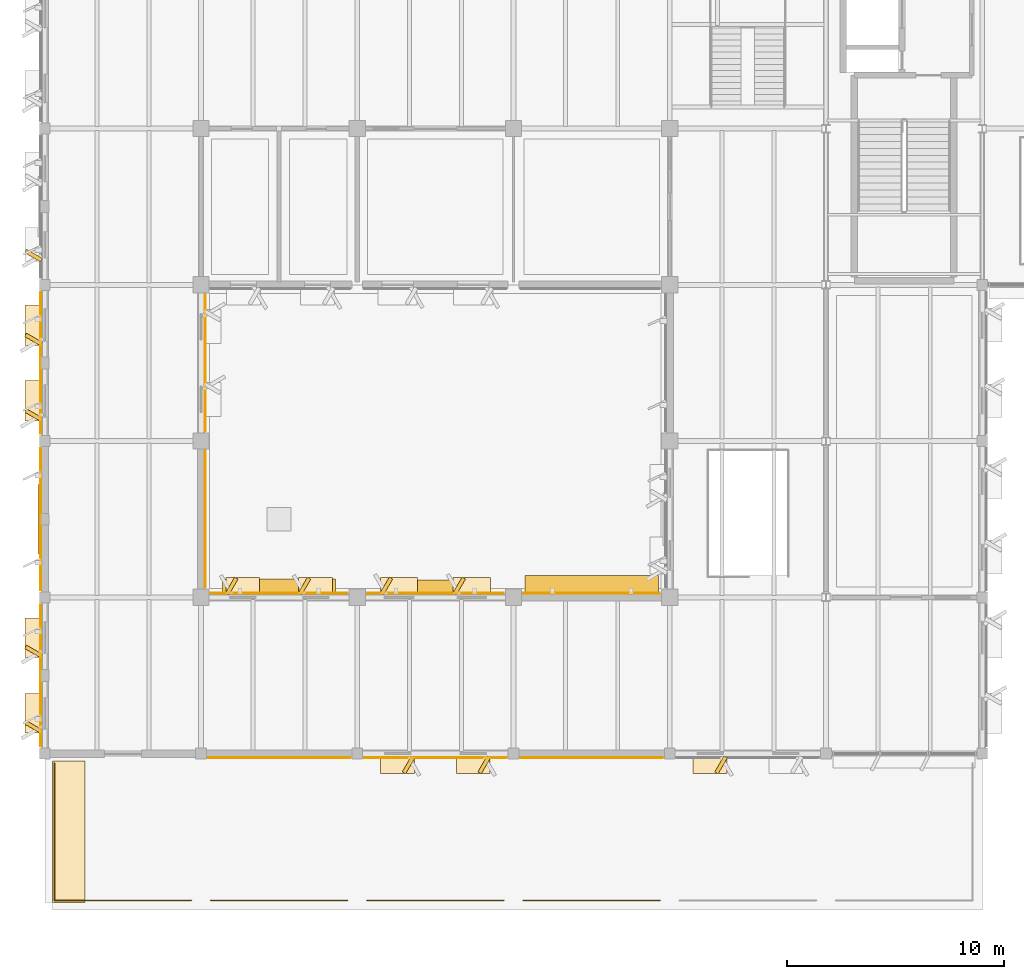
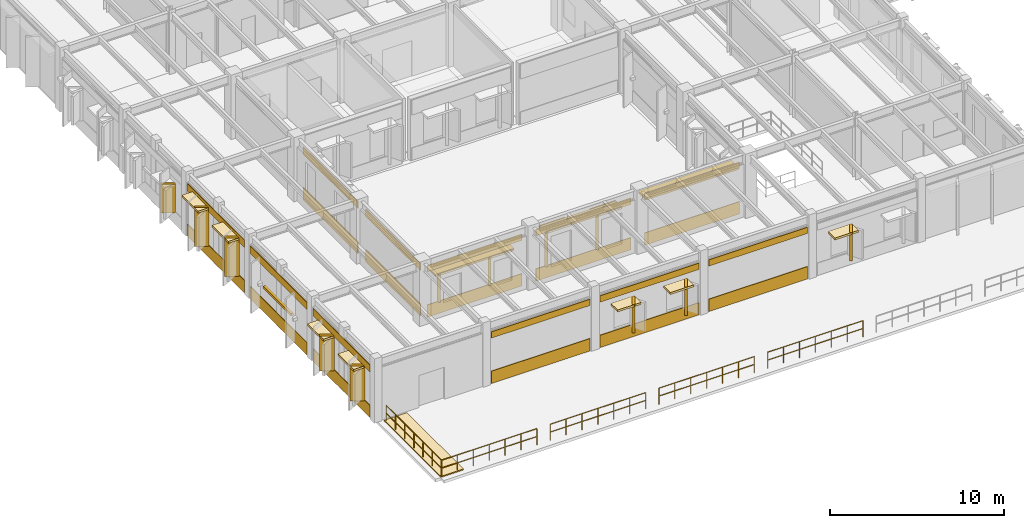
# One storey, part 75 of 92: 46 coverings, 5 railings, 4 shading devices.
"""IFC4 building model written with IfcOpenShell, lengths in metres."""

import ifcopenshell
import ifcopenshell.guid

model = None  # the IFC model being written
_history = None  # IfcOwnerHistory: only IFC2X3 demands one
_inside = {}  # id of a spatial element -> (the spatial element, [elements in it])
_under = {}  # id of a project, library or spatial element -> (it, [spatial elements below it])
_declared = {}  # id of a project -> (the project, [libraries it declares])
_typed = {}  # id of a type object -> (the type object, [elements of that type])
_made_of = {}  # id of a material, layer set ... -> (it, [elements and type objects made of it])


def new_model(schema):
    """Start an empty IFC model of exactly this schema.

    Asked for "IFC4X3", IfcOpenShell would pick the latest addendum, in which some entities
    have other attributes; the version numbers below select the first issue.
    IFC2X3 requires an IfcOwnerHistory on every rooted entity: one is made here for all.
    """
    global model, _history
    if schema == "IFC4X3":
        model = ifcopenshell.file(schema_version=(4, 3, 0, 0))
    else:
        model = ifcopenshell.file(schema=schema)
    _inside.clear()
    _under.clear()
    _declared.clear()
    _typed.clear()
    _made_of.clear()
    _history = None
    if model.schema == "IFC2X3":
        org = make("IfcOrganization", Name="unknown")
        user = make(
            "IfcPersonAndOrganization",
            ThePerson=make("IfcPerson", FamilyName="unknown"),
            TheOrganization=org,
        )
        app = make(
            "IfcApplication",
            ApplicationDeveloper=org,
            Version="unknown",
            ApplicationFullName="unknown",
            ApplicationIdentifier="unknown",
        )
        _history = make(
            "IfcOwnerHistory",
            OwningUser=user,
            OwningApplication=app,
            ChangeAction="ADDED",
            CreationDate=0,
        )
    return model


def make(cls, **values):
    """One entity of the class cls with the attributes given. An attribute that is None is left unset."""
    return model.create_entity(
        cls, **{name: value for name, value in values.items() if value is not None}
    )


def rooted(cls, **values):
    """An entity with a GlobalId (a new one), such as an element, a storey or a relation."""
    return make(cls, GlobalId=ifcopenshell.guid.new(), OwnerHistory=_history, **values)


def si_unit(unit_type, name, prefix=None):
    """IfcSIUnit, for example si_unit("LENGTHUNIT", "METRE", prefix="MILLI")."""
    return make("IfcSIUnit", UnitType=unit_type, Prefix=prefix, Name=name)


def assignment(units):
    """IfcUnitAssignment: the units of a project."""
    return None if units is None else make("IfcUnitAssignment", Units=units)


def point(xyz):
    """IfcCartesianPoint."""
    return None if xyz is None else make("IfcCartesianPoint", Coordinates=xyz)


def direction(xyz):
    """IfcDirection."""
    return None if xyz is None else make("IfcDirection", DirectionRatios=xyz)


def frame(location, z_axis=None, x_axis=None):
    """IfcAxis2Placement3D, a coordinate frame: its origin and axes. An axis left out is left unset."""
    return make(
        "IfcAxis2Placement3D",
        Location=point(location),
        Axis=direction(z_axis),
        RefDirection=direction(x_axis),
    )


def frame_2d(location, x_axis=None):
    """IfcAxis2Placement2D, a coordinate frame in the plane: its origin and x axis."""
    return make(
        "IfcAxis2Placement2D", Location=point(location), RefDirection=direction(x_axis)
    )


def origin():
    """The frame at (0, 0, 0) with its axes left unset."""
    return frame((0.0, 0.0, 0.0))


def origin_2d():
    """The frame at (0, 0) in the plane with its x axis left unset."""
    return frame_2d((0.0, 0.0))


def place(relative_to, where):
    """IfcLocalPlacement: puts the frame where relative to a parent placement (None: the world)."""
    return make(
        "IfcLocalPlacement", PlacementRelTo=relative_to, RelativePlacement=where
    )


def context(
    kind, dimensions, precision=None, world=None, true_north=None, identifier=None
):
    """IfcGeometricRepresentationContext, for example the 3D "Model" context."""
    return make(
        "IfcGeometricRepresentationContext",
        ContextIdentifier=identifier,
        ContextType=kind,
        CoordinateSpaceDimension=dimensions,
        Precision=precision,
        WorldCoordinateSystem=world,
        TrueNorth=true_north,
    )


def subcontext(parent, identifier, kind, view, scale=None):
    """IfcGeometricRepresentationSubContext, for example "Body" below "Model"."""
    return make(
        "IfcGeometricRepresentationSubContext",
        ContextIdentifier=identifier,
        ContextType=kind,
        ParentContext=parent,
        TargetScale=scale,
        TargetView=view,
    )


def project(units=None, contexts=None):
    """IfcProject with its units and contexts."""
    return rooted(
        "IfcProject",
        Name="project",
        RepresentationContexts=contexts,
        UnitsInContext=assignment(units),
    )


def spatial(cls, under=None, at=None, **own):
    """A site, building, storey or space (cls), placed at a placement, below another one or the project."""
    s = rooted(cls, ObjectPlacement=at, **own)
    if under is not None:
        _under.setdefault(under.id(), (under, []))[1].append(s)
    return s


def polyline(points):
    """IfcPolyline through the points."""
    return make("IfcPolyline", Points=[point(p) for p in points])


def profile(cls, at=None, kind="AREA", **sizes):
    """A parametric profile (cls). Its sizes go by their IFC names, for example OverallWidth=200.0."""
    return make(cls, ProfileType=kind, Position=at, **sizes)


def rectangle(**sizes):
    """IfcRectangleProfileDef."""
    return profile("IfcRectangleProfileDef", **sizes)


def circle(**sizes):
    """IfcCircleProfileDef."""
    return profile("IfcCircleProfileDef", **sizes)


def outline(outer, holes=None, kind="AREA"):
    """IfcArbitraryClosedProfileDef: a profile drawn as a closed curve; with holes, ...WithVoids."""
    if holes is None:
        return make("IfcArbitraryClosedProfileDef", ProfileType=kind, OuterCurve=outer)
    return make(
        "IfcArbitraryProfileDefWithVoids",
        ProfileType=kind,
        OuterCurve=outer,
        InnerCurves=holes,
    )


def extrude(swept, where, along, depth):
    """IfcExtrudedAreaSolid: the profile swept, set in the frame where, extruded along a direction by depth."""
    return make(
        "IfcExtrudedAreaSolid",
        SweptArea=swept,
        Position=where,
        ExtrudedDirection=direction(along),
        Depth=depth,
    )


def shape(context_of_items, identifier, shape_type, items):
    """IfcShapeRepresentation: the items that make up one representation, for example the "Body"."""
    return make(
        "IfcShapeRepresentation",
        ContextOfItems=context_of_items,
        RepresentationIdentifier=identifier,
        RepresentationType=shape_type,
        Items=items,
    )


def material(Name=None, Category=None):
    """IfcMaterial."""
    return make("IfcMaterial", Name=Name, Category=Category)


def layer(
    of_material, thickness, ventilated=None, Name=None, Category=None, Priority=None
):
    """IfcMaterialLayer: one layer of a wall or slab, of a material (None: an air gap)."""
    return make(
        "IfcMaterialLayer",
        Material=of_material,
        LayerThickness=thickness,
        IsVentilated=ventilated,
        Name=Name,
        Category=Category,
        Priority=Priority,
    )


def layer_set(layers, Name=None):
    """IfcMaterialLayerSet."""
    return make("IfcMaterialLayerSet", MaterialLayers=layers, LayerSetName=Name)


def made_of(thing, what):
    """Note that an element or type object is made of a material, layer set ...; save() writes the relation."""
    if what is not None:
        _made_of.setdefault(what.id(), (what, []))[1].append(thing)
    return thing


def type_object(cls, material=None, **own):
    """A type object (cls), such as IfcWallType, which elements share."""
    return made_of(rooted(cls, **own), material)


def element(
    cls,
    number,
    at=None,
    inside=None,
    cuts=None,
    type_object=None,
    material=None,
    context=None,
    identifier="Body",
    shape_type=None,
    held_by="IfcProductDefinitionShape",
    body=None,
    shapes=None,
    **own,
):
    """One element of the class cls, such as IfcWall. Its Tag is "e" and its number.

    at: its placement. inside: the storey or other place that contains it. cuts: it is an
    opening in that element (IfcRelVoidsElement). A single representation is given by context,
    identifier, shape_type and body (its items); several are given by shapes. held_by: the class
    of the entity that holds the representations. save() writes the other relations.
    """
    e = rooted(cls, Tag="e%d" % number, ObjectPlacement=at, **own)
    if body is not None:
        shapes = [shape(context, identifier, shape_type, body)]
    if shapes is not None:
        e.Representation = make(held_by, Representations=shapes)
    if inside is not None:
        _inside.setdefault(inside.id(), (inside, []))[1].append(e)
    if cuts is not None:
        rooted(
            "IfcRelVoidsElement", RelatingBuildingElement=cuts, RelatedOpeningElement=e
        )
    if type_object is not None:
        _typed.setdefault(type_object.id(), (type_object, []))[1].append(e)
    return made_of(e, material)


def aggregate(whole, parts):
    """IfcRelAggregates: a whole, such as a stair, and the parts it consists of."""
    return rooted("IfcRelAggregates", RelatingObject=whole, RelatedObjects=parts)


def save(model, path):
    """Write the relations noted so far, then the file.

    IfcRelAggregates (storeys below a building ...), IfcRelContainedInSpatialStructure (elements
    in a storey), IfcRelDefinesByType, IfcRelAssociatesMaterial and IfcRelDeclares: one each for
    every whole, place, type object, material and project.
    """
    for whole, parts in _under.values():
        aggregate(whole, parts)
    for where, things in _inside.values():
        rooted(
            "IfcRelContainedInSpatialStructure",
            RelatedElements=things,
            RelatingStructure=where,
        )
    for kind, things in _typed.values():
        rooted("IfcRelDefinesByType", RelatedObjects=things, RelatingType=kind)
    for what, things in _made_of.values():
        rooted("IfcRelAssociatesMaterial", RelatedObjects=things, RelatingMaterial=what)
    for by, libraries in _declared.values():
        rooted("IfcRelDeclares", RelatingContext=by, RelatedDefinitions=libraries)
    model.write(path)


model = new_model("IFC4")

# Units and contexts
model_context = context("Model", 3, precision=1e-05, world=origin(), true_north=direction((0.0, 1.0)))
body_context = subcontext(model_context, "Body", "Model", "MODEL_VIEW")
ifc_project = project(units=[si_unit("LENGTHUNIT", "METRE"), si_unit("AREAUNIT", "SQUARE_METRE"), si_unit("VOLUMEUNIT", "CUBIC_METRE"), si_unit("PLANEANGLEUNIT", "RADIAN"), si_unit("MASSUNIT", "GRAM", prefix="KILO")], contexts=[model_context])

# Site, building, storey
site_placement = place(None, origin())
site = spatial("IfcSite", under=ifc_project, at=site_placement, CompositionType="ELEMENT")
building_placement = place(site_placement, origin())
building = spatial("IfcBuilding", under=site, at=building_placement, Name="Sillqori Civic Hall", CompositionType="ELEMENT")
storey_placement = place(building_placement, frame((0.0, 0.0, 5.39990234375)))
storey = spatial("IfcBuildingStorey", under=building, at=storey_placement, Name="L02", CompositionType="ELEMENT", Elevation=5.39990234375)

# Coverings
ifc_material_1 = material(Name="Cochabamba Honed Limestone Cladding", Category="masonry")
ifc_layer_1 = layer(ifc_material_1, 0.044921875)
ifc_layer_set_1 = layer_set([ifc_layer_1], Name="Cochabamba Honed Limestone Cladding")
covering_type_1 = type_object("IfcCoveringType", Name="COV-CLAD-LIME", PredefinedType="CLADDING", material=ifc_layer_set_1)
covering_1_placement = place(storey_placement, frame((7.010009765625, 14.72998046875, 0.0400390625), z_axis=(0.0, 0.0, 1.0), x_axis=(0.0, 1.0, 0.0)))
element("IfcCovering", 1, at=covering_1_placement, inside=storey, type_object=covering_type_1, Name="L02 limestone spandrel cladding L02-01-02-W", PredefinedType="CLADDING", context=body_context, shape_type="SweptSolid", body=[
    extrude(rectangle(XDim=6.5400390625, YDim=0.044921875, at=frame_2d((3.27001953125, 0.0))), origin(), (0.0, 0.0, 1.0), 0.860107421875),
])
covering_2_placement = place(storey_placement, frame((7.010009765625, 14.72998046875, 3.22021484375), z_axis=(0.0, 0.0, 1.0), x_axis=(0.0, 1.0, 0.0)))
element("IfcCovering", 2, at=covering_2_placement, inside=storey, type_object=covering_type_1, Name="L02 limestone frieze cladding L02-01-02-W", PredefinedType="CLADDING", context=body_context, shape_type="SweptSolid", body=[
    extrude(rectangle(XDim=6.5400390625, YDim=0.044921875, at=frame_2d((3.27001953125, 0.0))), origin(), (0.0, 0.0, 1.0), 0.5068359375),
])
covering_3_placement = place(storey_placement, frame((7.050048828125, 15.4130859375, 0.830078125), z_axis=(0.0, 0.0, 1.0), x_axis=(-0.866113839764, 0.499846793097, 0.0)))
element("IfcCovering", 3, at=covering_3_placement, inside=storey, type_object=covering_type_1, Name="Sawtooth limestone angled reveal cheek L02-01-02-W.1", PredefinedType="CLADDING", context=body_context, shape_type="SweptSolid", body=[
    extrude(rectangle(XDim=0.849853515625, YDim=0.179931640625, at=frame_2d((0.4248046875, 0.0))), origin(), (0.0, 0.0, 1.0), 2.449951171875),
])
covering_4_placement = place(storey_placement, frame((6.669921875, 15.35302734375, 3.14013671875), z_axis=(0.0, 0.0, 1.0), x_axis=(0.0, 1.0, 0.0)))
element("IfcCovering", 4, at=covering_4_placement, inside=storey, type_object=covering_type_1, Name="Sawtooth limestone window hood L02-01-02-W.1", PredefinedType="CLADDING", context=body_context, shape_type="SweptSolid", body=[
    extrude(rectangle(XDim=1.81005859375, YDim=0.780029296875, at=frame_2d((0.905029296875, 0.0))), origin(), (0.0, 0.0, 1.0), 0.139892578125),
])
covering_5_placement = place(storey_placement, frame((7.050048828125, 18.89697265625, 0.830078125), z_axis=(0.0, 0.0, 1.0), x_axis=(-0.865989465428, 0.500062241894, 0.0)))
element("IfcCovering", 5, at=covering_5_placement, inside=storey, type_object=covering_type_1, Name="Sawtooth limestone angled reveal cheek L02-01-02-W.2", PredefinedType="CLADDING", context=body_context, shape_type="SweptSolid", body=[
    extrude(rectangle(XDim=0.85009765625, YDim=0.179931640625, at=frame_2d((0.425048828125, 0.0))), origin(), (0.0, 0.0, 1.0), 2.449951171875),
])
covering_6_placement = place(storey_placement, frame((6.669921875, 18.8369140625, 3.14013671875), z_axis=(0.0, 0.0, 1.0), x_axis=(0.0, 1.0, 0.0)))
element("IfcCovering", 6, at=covering_6_placement, inside=storey, type_object=covering_type_1, Name="Sawtooth limestone window hood L02-01-02-W.2", PredefinedType="CLADDING", context=body_context, shape_type="SweptSolid", body=[
    extrude(rectangle(XDim=1.81005859375, YDim=0.780029296875, at=frame_2d((0.905029296875, 0.0))), origin(), (0.0, 0.0, 1.0), 0.139892578125),
])
covering_7_placement = place(storey_placement, frame((7.010009765625, 21.929931640625, 0.0400390625), z_axis=(0.0, 0.0, 1.0), x_axis=(0.0, 1.0, 0.0)))
element("IfcCovering", 7, at=covering_7_placement, inside=storey, type_object=covering_type_1, Name="L02 limestone spandrel cladding L02-01-03-W", PredefinedType="CLADDING", context=body_context, shape_type="SweptSolid", body=[
    extrude(rectangle(XDim=6.5400390625, YDim=0.044921875, at=frame_2d((3.27001953125, 0.0))), origin(), (0.0, 0.0, 1.0), 0.860107421875),
])
covering_8_placement = place(storey_placement, frame((7.010009765625, 21.929931640625, 3.22021484375), z_axis=(0.0, 0.0, 1.0), x_axis=(0.0, 1.0, 0.0)))
element("IfcCovering", 8, at=covering_8_placement, inside=storey, type_object=covering_type_1, Name="L02 limestone frieze cladding L02-01-03-W", PredefinedType="CLADDING", context=body_context, shape_type="SweptSolid", body=[
    extrude(rectangle(XDim=6.5400390625, YDim=0.044921875, at=frame_2d((3.27001953125, 0.0))), origin(), (0.0, 0.0, 1.0), 0.5068359375),
])
covering_9_placement = place(storey_placement, frame((14.590087890625, 28.344970703125, 0.0400390625), z_axis=(0.0, 0.0, 1.0), x_axis=(0.0, -1.0, 0.0)))
element("IfcCovering", 9, at=covering_9_placement, inside=storey, type_object=covering_type_1, Name="L02 limestone spandrel cladding L02-01-03-E", PredefinedType="CLADDING", context=body_context, shape_type="SweptSolid", body=[
    extrude(rectangle(XDim=6.2900390625, YDim=0.044921875, at=frame_2d((3.14501953125, 0.0))), origin(), (0.0, 0.0, 1.0), 0.860107421875),
])
covering_10_placement = place(storey_placement, frame((14.590087890625, 28.344970703125, 3.22021484375), z_axis=(0.0, 0.0, 1.0), x_axis=(0.0, -1.0, 0.0)))
element("IfcCovering", 10, at=covering_10_placement, inside=storey, type_object=covering_type_1, Name="L02 limestone frieze cladding L02-01-03-E", PredefinedType="CLADDING", context=body_context, shape_type="SweptSolid", body=[
    extrude(rectangle(XDim=6.2900390625, YDim=0.044921875, at=frame_2d((3.14501953125, 0.0))), origin(), (0.0, 0.0, 1.0), 0.5068359375),
])
covering_11_placement = place(storey_placement, frame((7.010009765625, 29.1298828125, 0.0400390625), z_axis=(0.0, 0.0, 1.0), x_axis=(0.0, 1.0, 0.0)))
element("IfcCovering", 11, at=covering_11_placement, inside=storey, type_object=covering_type_1, Name="L02 limestone spandrel cladding L02-01-04-W", PredefinedType="CLADDING", context=body_context, shape_type="SweptSolid", body=[
    extrude(rectangle(XDim=6.5400390625, YDim=0.044921875, at=frame_2d((3.27001953125, 0.0))), origin(), (0.0, 0.0, 1.0), 0.860107421875),
])
covering_12_placement = place(storey_placement, frame((7.010009765625, 29.1298828125, 3.22021484375), z_axis=(0.0, 0.0, 1.0), x_axis=(0.0, 1.0, 0.0)))
element("IfcCovering", 12, at=covering_12_placement, inside=storey, type_object=covering_type_1, Name="L02 limestone frieze cladding L02-01-04-W", PredefinedType="CLADDING", context=body_context, shape_type="SweptSolid", body=[
    extrude(rectangle(XDim=6.5400390625, YDim=0.044921875, at=frame_2d((3.27001953125, 0.0))), origin(), (0.0, 0.0, 1.0), 0.5068359375),
])
covering_13_placement = place(storey_placement, frame((7.050048828125, 29.7880859375, 0.830078125), z_axis=(0.0, 0.0, 1.0), x_axis=(-0.866113839764, 0.499846793097, 0.0)))
element("IfcCovering", 13, at=covering_13_placement, inside=storey, type_object=covering_type_1, Name="Sawtooth limestone angled reveal cheek L02-01-04-W.1", PredefinedType="CLADDING", context=body_context, shape_type="SweptSolid", body=[
    extrude(rectangle(XDim=0.849853515625, YDim=0.179931640625, at=frame_2d((0.4248046875, 0.0))), origin(), (0.0, 0.0, 1.0), 2.699951171875),
])
covering_14_placement = place(storey_placement, frame((6.669921875, 29.72802734375, 3.39013671875), z_axis=(0.0, 0.0, 1.0), x_axis=(0.0, 1.0, 0.0)))
element("IfcCovering", 14, at=covering_14_placement, inside=storey, type_object=covering_type_1, Name="Sawtooth limestone window hood L02-01-04-W.1", PredefinedType="CLADDING", context=body_context, shape_type="SweptSolid", body=[
    extrude(rectangle(XDim=1.85986328125, YDim=0.780029296875, at=frame_2d((0.929931640625, 0.0))), origin(), (0.0, 0.0, 1.0), 0.139892578125),
])
covering_15_placement = place(storey_placement, frame((7.050048828125, 33.27197265625, 0.830078125), z_axis=(0.0, 0.0, 1.0), x_axis=(-0.865989465428, 0.500062241894, 0.0)))
element("IfcCovering", 15, at=covering_15_placement, inside=storey, type_object=covering_type_1, Name="Sawtooth limestone angled reveal cheek L02-01-04-W.2", PredefinedType="CLADDING", context=body_context, shape_type="SweptSolid", body=[
    extrude(rectangle(XDim=0.85009765625, YDim=0.179931640625, at=frame_2d((0.425048828125, 0.0))), origin(), (0.0, 0.0, 1.0), 2.699951171875),
])
covering_16_placement = place(storey_placement, frame((6.669921875, 33.2119140625, 3.39013671875), z_axis=(0.0, 0.0, 1.0), x_axis=(0.0, 1.0, 0.0)))
element("IfcCovering", 16, at=covering_16_placement, inside=storey, type_object=covering_type_1, Name="Sawtooth limestone window hood L02-01-04-W.2", PredefinedType="CLADDING", context=body_context, shape_type="SweptSolid", body=[
    extrude(rectangle(XDim=1.860107421875, YDim=0.780029296875, at=frame_2d((0.93017578125, 0.0))), origin(), (0.0, 0.0, 1.0), 0.139892578125),
])
covering_17_placement = place(storey_placement, frame((14.590087890625, 35.544921875, 0.0400390625), z_axis=(0.0, 0.0, 1.0), x_axis=(0.0, -1.0, 0.0)))
element("IfcCovering", 17, at=covering_17_placement, inside=storey, type_object=covering_type_1, Name="L02 limestone spandrel cladding L02-01-04-E", PredefinedType="CLADDING", context=body_context, shape_type="SweptSolid", body=[
    extrude(rectangle(XDim=6.2900390625, YDim=0.044921875, at=frame_2d((3.14501953125, 0.0))), origin(), (0.0, 0.0, 1.0), 0.860107421875),
])
covering_18_placement = place(storey_placement, frame((14.590087890625, 35.544921875, 3.22021484375), z_axis=(0.0, 0.0, 1.0), x_axis=(0.0, -1.0, 0.0)))
element("IfcCovering", 18, at=covering_18_placement, inside=storey, type_object=covering_type_1, Name="L02 limestone frieze cladding L02-01-04-E", PredefinedType="CLADDING", context=body_context, shape_type="SweptSolid", body=[
    extrude(rectangle(XDim=6.2900390625, YDim=0.044921875, at=frame_2d((3.14501953125, 0.0))), origin(), (0.0, 0.0, 1.0), 0.5068359375),
])
covering_19_placement = place(storey_placement, frame((7.050048828125, 37.137939453125, 0.830078125), z_axis=(0.0, 0.0, 1.0), x_axis=(-0.865989465428, 0.500062241894, 0.0)))
element("IfcCovering", 19, at=covering_19_placement, inside=storey, type_object=covering_type_1, Name="Sawtooth limestone angled reveal cheek L02-01-05-W.1", PredefinedType="CLADDING", context=body_context, shape_type="SweptSolid", body=[
    extrude(rectangle(XDim=0.85009765625, YDim=0.179931640625, at=frame_2d((0.425048828125, 0.0))), origin(), (0.0, 0.0, 1.0), 2.0),
])
covering_20_placement = place(storey_placement, frame((21.27001953125, 14.2099609375, 0.0400390625), z_axis=(0.0, 0.0, 1.0), x_axis=(-1.0, 0.0, 0.0)))
element("IfcCovering", 20, at=covering_20_placement, inside=storey, type_object=covering_type_1, Name="L02 limestone spandrel cladding L02-02-02-S", PredefinedType="CLADDING", context=body_context, shape_type="SweptSolid", body=[
    extrude(rectangle(XDim=6.5400390625, YDim=0.044921875, at=frame_2d((3.27001953125, 0.0))), origin(), (0.0, 0.0, 1.0), 0.860107421875),
])
covering_21_placement = place(storey_placement, frame((21.27001953125, 14.2099609375, 3.22021484375), z_axis=(0.0, 0.0, 1.0), x_axis=(-1.0, 0.0, 0.0)))
element("IfcCovering", 21, at=covering_21_placement, inside=storey, type_object=covering_type_1, Name="L02 limestone frieze cladding L02-02-02-S", PredefinedType="CLADDING", context=body_context, shape_type="SweptSolid", body=[
    extrude(rectangle(XDim=6.5400390625, YDim=0.044921875, at=frame_2d((3.27001953125, 0.0))), origin(), (0.0, 0.0, 1.0), 0.43798828125),
])
covering_22_placement = place(storey_placement, frame((14.85498046875, 21.7900390625, 0.0400390625), z_axis=(0.0, 0.0, 1.0), x_axis=(1.0, 0.0, 0.0)))
element("IfcCovering", 22, at=covering_22_placement, inside=storey, type_object=covering_type_1, Name="L02 limestone spandrel cladding L02-02-02-N", PredefinedType="CLADDING", context=body_context, shape_type="SweptSolid", body=[
    extrude(rectangle(XDim=6.2900390625, YDim=0.044921875, at=frame_2d((3.14501953125, 0.0))), origin(), (0.0, 0.0, 1.0), 0.860107421875),
])
covering_23_placement = place(storey_placement, frame((14.85498046875, 21.7900390625, 3.22021484375), z_axis=(0.0, 0.0, 1.0), x_axis=(1.0, 0.0, 0.0)))
element("IfcCovering", 23, at=covering_23_placement, inside=storey, type_object=covering_type_1, Name="L02 limestone frieze cladding L02-02-02-N", PredefinedType="CLADDING", context=body_context, shape_type="SweptSolid", body=[
    extrude(rectangle(XDim=6.2900390625, YDim=0.044921875, at=frame_2d((3.14501953125, 0.0))), origin(), (0.0, 0.0, 1.0), 0.43798828125),
])
covering_24_placement = place(storey_placement, frame((15.60302734375, 21.75, 0.830078125), z_axis=(0.0, 0.0, 1.0), x_axis=(0.500062241894, 0.865989465428, 0.0)))
element("IfcCovering", 24, at=covering_24_placement, inside=storey, type_object=covering_type_1, Name="Sawtooth limestone angled reveal cheek L02-02-02-N.1", PredefinedType="CLADDING", context=body_context, shape_type="SweptSolid", body=[
    extrude(rectangle(XDim=0.85009765625, YDim=0.179931640625, at=frame_2d((0.425048828125, 0.0))), origin(), (0.0, 0.0, 1.0), 2.0),
])
covering_25_placement = place(storey_placement, frame((15.54296875, 22.1298828125, 2.690185546875), z_axis=(0.0, 0.0, 1.0), x_axis=(1.0, 0.0, 0.0)))
element("IfcCovering", 25, at=covering_25_placement, inside=storey, type_object=covering_type_1, Name="Sawtooth limestone window hood L02-02-02-N.1", PredefinedType="CLADDING", context=body_context, shape_type="SweptSolid", body=[
    extrude(rectangle(XDim=1.56005859375, YDim=0.780029296875, at=frame_2d((0.780029296875, 0.0))), origin(), (0.0, 0.0, 1.0), 0.139892578125),
])
covering_26_placement = place(storey_placement, frame((18.95703125, 21.75, 0.830078125), z_axis=(0.0, 0.0, 1.0), x_axis=(0.500062241894, 0.865989465428, 0.0)))
element("IfcCovering", 26, at=covering_26_placement, inside=storey, type_object=covering_type_1, Name="Sawtooth limestone angled reveal cheek L02-02-02-N.2", PredefinedType="CLADDING", context=body_context, shape_type="SweptSolid", body=[
    extrude(rectangle(XDim=0.85009765625, YDim=0.179931640625, at=frame_2d((0.425048828125, 0.0))), origin(), (0.0, 0.0, 1.0), 2.0),
])
covering_27_placement = place(storey_placement, frame((18.89697265625, 22.1298828125, 2.690185546875), z_axis=(0.0, 0.0, 1.0), x_axis=(1.0, 0.0, 0.0)))
element("IfcCovering", 27, at=covering_27_placement, inside=storey, type_object=covering_type_1, Name="Sawtooth limestone window hood L02-02-02-N.2", PredefinedType="CLADDING", context=body_context, shape_type="SweptSolid", body=[
    extrude(rectangle(XDim=1.56005859375, YDim=0.780029296875, at=frame_2d((0.780029296875, 0.0))), origin(), (0.0, 0.0, 1.0), 0.139892578125),
])
covering_28_placement = place(storey_placement, frame((28.469970703125, 14.2099609375, 0.0400390625), z_axis=(0.0, 0.0, 1.0), x_axis=(-1.0, 0.0, 0.0)))
element("IfcCovering", 28, at=covering_28_placement, inside=storey, type_object=covering_type_1, Name="L02 limestone spandrel cladding L02-03-02-S", PredefinedType="CLADDING", context=body_context, shape_type="SweptSolid", body=[
    extrude(rectangle(XDim=6.5400390625, YDim=0.044921875, at=frame_2d((3.27001953125, 0.0))), origin(), (0.0, 0.0, 1.0), 0.860107421875),
])
covering_29_placement = place(storey_placement, frame((28.469970703125, 14.2099609375, 3.22021484375), z_axis=(0.0, 0.0, 1.0), x_axis=(-1.0, 0.0, 0.0)))
element("IfcCovering", 29, at=covering_29_placement, inside=storey, type_object=covering_type_1, Name="L02 limestone frieze cladding L02-03-02-S", PredefinedType="CLADDING", context=body_context, shape_type="SweptSolid", body=[
    extrude(rectangle(XDim=6.5400390625, YDim=0.044921875, at=frame_2d((3.27001953125, 0.0))), origin(), (0.0, 0.0, 1.0), 0.43798828125),
])
covering_30_placement = place(storey_placement, frame((27.662109375, 14.25, 0.830078125), z_axis=(0.0, 0.0, 1.0), x_axis=(-0.500062241894, -0.865989465428, 0.0)))
element("IfcCovering", 30, at=covering_30_placement, inside=storey, type_object=covering_type_1, Name="Sawtooth limestone angled reveal cheek L02-03-02-S.1", PredefinedType="CLADDING", context=body_context, shape_type="SweptSolid", body=[
    extrude(rectangle(XDim=0.85009765625, YDim=0.179931640625, at=frame_2d((0.425048828125, 0.0))), origin(), (0.0, 0.0, 1.0), 2.0),
])
covering_31_placement = place(storey_placement, frame((27.721923828125, 13.8701171875, 2.690185546875), z_axis=(0.0, 0.0, 1.0), x_axis=(-1.0, 0.0, 0.0)))
element("IfcCovering", 31, at=covering_31_placement, inside=storey, type_object=covering_type_1, Name="Sawtooth limestone window hood L02-03-02-S.1", PredefinedType="CLADDING", context=body_context, shape_type="SweptSolid", body=[
    extrude(rectangle(XDim=1.559814453125, YDim=0.780029296875, at=frame_2d((0.77978515625, 0.0))), origin(), (0.0, 0.0, 1.0), 0.139892578125),
])
covering_32_placement = place(storey_placement, frame((24.177978515625, 14.25, 0.830078125), z_axis=(0.0, 0.0, 1.0), x_axis=(-0.500062241894, -0.865989465428, 0.0)))
element("IfcCovering", 32, at=covering_32_placement, inside=storey, type_object=covering_type_1, Name="Sawtooth limestone angled reveal cheek L02-03-02-S.2", PredefinedType="CLADDING", context=body_context, shape_type="SweptSolid", body=[
    extrude(rectangle(XDim=0.85009765625, YDim=0.179931640625, at=frame_2d((0.425048828125, 0.0))), origin(), (0.0, 0.0, 1.0), 2.0),
])
covering_33_placement = place(storey_placement, frame((24.238037109375, 13.8701171875, 2.690185546875), z_axis=(0.0, 0.0, 1.0), x_axis=(-1.0, 0.0, 0.0)))
element("IfcCovering", 33, at=covering_33_placement, inside=storey, type_object=covering_type_1, Name="Sawtooth limestone window hood L02-03-02-S.2", PredefinedType="CLADDING", context=body_context, shape_type="SweptSolid", body=[
    extrude(rectangle(XDim=1.56005859375, YDim=0.780029296875, at=frame_2d((0.780029296875, 0.0))), origin(), (0.0, 0.0, 1.0), 0.139892578125),
])
covering_34_placement = place(storey_placement, frame((22.054931640625, 21.7900390625, 0.0400390625), z_axis=(0.0, 0.0, 1.0), x_axis=(1.0, 0.0, 0.0)))
element("IfcCovering", 34, at=covering_34_placement, inside=storey, type_object=covering_type_1, Name="L02 limestone spandrel cladding L02-03-02-N", PredefinedType="CLADDING", context=body_context, shape_type="SweptSolid", body=[
    extrude(rectangle(XDim=6.2900390625, YDim=0.044921875, at=frame_2d((3.14501953125, 0.0))), origin(), (0.0, 0.0, 1.0), 0.860107421875),
])
covering_35_placement = place(storey_placement, frame((22.054931640625, 21.7900390625, 3.22021484375), z_axis=(0.0, 0.0, 1.0), x_axis=(1.0, 0.0, 0.0)))
element("IfcCovering", 35, at=covering_35_placement, inside=storey, type_object=covering_type_1, Name="L02 limestone frieze cladding L02-03-02-N", PredefinedType="CLADDING", context=body_context, shape_type="SweptSolid", body=[
    extrude(rectangle(XDim=6.2900390625, YDim=0.044921875, at=frame_2d((3.14501953125, 0.0))), origin(), (0.0, 0.0, 1.0), 0.43798828125),
])
covering_36_placement = place(storey_placement, frame((22.72802734375, 21.75, 0.830078125), z_axis=(0.0, 0.0, 1.0), x_axis=(0.500062241894, 0.865989465428, 0.0)))
element("IfcCovering", 36, at=covering_36_placement, inside=storey, type_object=covering_type_1, Name="Sawtooth limestone angled reveal cheek L02-03-02-N.1", PredefinedType="CLADDING", context=body_context, shape_type="SweptSolid", body=[
    extrude(rectangle(XDim=0.85009765625, YDim=0.179931640625, at=frame_2d((0.425048828125, 0.0))), origin(), (0.0, 0.0, 1.0), 2.449951171875),
])
covering_37_placement = place(storey_placement, frame((22.66796875, 22.1298828125, 3.14013671875), z_axis=(0.0, 0.0, 1.0), x_axis=(1.0, 0.0, 0.0)))
element("IfcCovering", 37, at=covering_37_placement, inside=storey, type_object=covering_type_1, Name="Sawtooth limestone window hood L02-03-02-N.1", PredefinedType="CLADDING", context=body_context, shape_type="SweptSolid", body=[
    extrude(rectangle(XDim=1.7099609375, YDim=0.780029296875, at=frame_2d((0.85498046875, 0.0))), origin(), (0.0, 0.0, 1.0), 0.139892578125),
])
covering_38_placement = place(storey_placement, frame((26.08203125, 21.75, 0.830078125), z_axis=(0.0, 0.0, 1.0), x_axis=(0.500062241894, 0.865989465428, 0.0)))
element("IfcCovering", 38, at=covering_38_placement, inside=storey, type_object=covering_type_1, Name="Sawtooth limestone angled reveal cheek L02-03-02-N.2", PredefinedType="CLADDING", context=body_context, shape_type="SweptSolid", body=[
    extrude(rectangle(XDim=0.85009765625, YDim=0.179931640625, at=frame_2d((0.425048828125, 0.0))), origin(), (0.0, 0.0, 1.0), 2.449951171875),
])
covering_39_placement = place(storey_placement, frame((26.02197265625, 22.1298828125, 3.14013671875), z_axis=(0.0, 0.0, 1.0), x_axis=(1.0, 0.0, 0.0)))
element("IfcCovering", 39, at=covering_39_placement, inside=storey, type_object=covering_type_1, Name="Sawtooth limestone window hood L02-03-02-N.2", PredefinedType="CLADDING", context=body_context, shape_type="SweptSolid", body=[
    extrude(rectangle(XDim=1.7099609375, YDim=0.780029296875, at=frame_2d((0.85498046875, 0.0))), origin(), (0.0, 0.0, 1.0), 0.139892578125),
])
covering_40_placement = place(storey_placement, frame((35.669921875, 14.2099609375, 0.0400390625), z_axis=(0.0, 0.0, 1.0), x_axis=(-1.0, 0.0, 0.0)))
element("IfcCovering", 40, at=covering_40_placement, inside=storey, type_object=covering_type_1, Name="L02 limestone spandrel cladding L02-04-02-S", PredefinedType="CLADDING", context=body_context, shape_type="SweptSolid", body=[
    extrude(rectangle(XDim=6.5400390625, YDim=0.044921875, at=frame_2d((3.27001953125, 0.0))), origin(), (0.0, 0.0, 1.0), 0.860107421875),
])
covering_41_placement = place(storey_placement, frame((35.669921875, 14.2099609375, 3.22021484375), z_axis=(0.0, 0.0, 1.0), x_axis=(-1.0, 0.0, 0.0)))
element("IfcCovering", 41, at=covering_41_placement, inside=storey, type_object=covering_type_1, Name="L02 limestone frieze cladding L02-04-02-S", PredefinedType="CLADDING", context=body_context, shape_type="SweptSolid", body=[
    extrude(rectangle(XDim=6.5400390625, YDim=0.044921875, at=frame_2d((3.27001953125, 0.0))), origin(), (0.0, 0.0, 1.0), 0.43798828125),
])
covering_42_placement = place(storey_placement, frame((29.2548828125, 21.7900390625, 0.0400390625), z_axis=(0.0, 0.0, 1.0), x_axis=(1.0, 0.0, 0.0)))
element("IfcCovering", 42, at=covering_42_placement, inside=storey, type_object=covering_type_1, Name="L02 limestone spandrel cladding L02-04-02-N", PredefinedType="CLADDING", context=body_context, shape_type="SweptSolid", body=[
    extrude(rectangle(XDim=6.2900390625, YDim=0.044921875, at=frame_2d((3.14501953125, 0.0))), origin(), (0.0, 0.0, 1.0), 0.860107421875),
])
covering_43_placement = place(storey_placement, frame((29.2548828125, 21.7900390625, 3.22021484375), z_axis=(0.0, 0.0, 1.0), x_axis=(1.0, 0.0, 0.0)))
element("IfcCovering", 43, at=covering_43_placement, inside=storey, type_object=covering_type_1, Name="L02 limestone frieze cladding L02-04-02-N", PredefinedType="CLADDING", context=body_context, shape_type="SweptSolid", body=[
    extrude(rectangle(XDim=6.2900390625, YDim=0.044921875, at=frame_2d((3.14501953125, 0.0))), origin(), (0.0, 0.0, 1.0), 0.43798828125),
])
covering_44_placement = place(storey_placement, frame((38.577880859375, 14.25, 0.830078125), z_axis=(0.0, 0.0, 1.0), x_axis=(-0.499846793097, -0.866113839764, 0.0)))
element("IfcCovering", 44, at=covering_44_placement, inside=storey, type_object=covering_type_1, Name="Sawtooth limestone angled reveal cheek L02-05-02-S.2", PredefinedType="CLADDING", context=body_context, shape_type="SweptSolid", body=[
    extrude(rectangle(XDim=0.849853515625, YDim=0.179931640625, at=frame_2d((0.4248046875, 0.0))), origin(), (0.0, 0.0, 1.0), 2.0),
])
covering_45_placement = place(storey_placement, frame((38.637939453125, 13.8701171875, 2.690185546875), z_axis=(0.0, 0.0, 1.0), x_axis=(-1.0, 0.0, 0.0)))
element("IfcCovering", 45, at=covering_45_placement, inside=storey, type_object=covering_type_1, Name="Sawtooth limestone window hood L02-05-02-S.2", PredefinedType="CLADDING", context=body_context, shape_type="SweptSolid", body=[
    extrude(rectangle(XDim=1.56005859375, YDim=0.780029296875, at=frame_2d((0.780029296875, 0.0))), origin(), (0.0, 0.0, 1.0), 0.139892578125),
])
ifc_material_2 = material(Name="Extensive Andean Sedum Roof Substrate", Category="earth")
ifc_layer_2 = layer(ifc_material_2, 0.080078125)
ifc_layer_set_2 = layer_set([ifc_layer_2], Name="Extensive Andean Sedum Roof Substrate")
covering_type_2 = type_object("IfcCoveringType", Name="COV-ROOF-GRN", PredefinedType="ROOFING", material=ifc_layer_set_2)
covering_46_placement = place(storey_placement, origin())
element("IfcCovering", 46, at=covering_46_placement, inside=storey, type_object=covering_type_2, Name="South Chamber Step Terrace 1 planted planter bed", PredefinedType="ROOFING", context=body_context, shape_type="SweptSolid", body=[
    extrude(outline(polyline([(7.550048828125, 7.550048828125), (9.050048828125, 7.550048828125), (9.050048828125, 14.050048828125), (7.550048828125, 14.050048828125), (7.550048828125, 7.550048828125)])), origin(), (0.0, 0.0, 1.0), 0.080078125),
])

# Railings
ifc_material_3 = material(Name="Architectural Bronze and Tempered Glass Balustrade", Category="glass")
ifc_layer_3 = layer(ifc_material_3, 0.080078125)
ifc_layer_set_3 = layer_set([ifc_layer_3], Name="Architectural Bronze and Tempered Glass Balustrade")
railing_type = type_object("IfcRailingType", Name="RLG-BALU-115", PredefinedType="BALUSTRADE", material=ifc_layer_set_3)
railing_1_placement = place(storey_placement, frame((7.639892578125, 7.639892578125, 0.0)))
element("IfcRailing", 47, at=railing_1_placement, inside=storey, type_object=railing_type, Name="South Chamber Step Terrace 1 perimeter guard S-01", PredefinedType="BALUSTRADE", context=body_context, shape_type="SweptSolid", body=[
    extrude(circle(Radius=0.02392578125, at=origin_2d()), frame((0.0, 0.0, 1.1259765625), z_axis=(1.0, 0.0, 0.0), x_axis=(0.0, 1.0, 0.0)), (0.0, 0.0, 1.0), 6.320068359375),
    extrude(circle(Radius=0.02392578125, at=origin_2d()), frame((0.0, 0.0, 0.574951171875), z_axis=(1.0, 0.0, 0.0), x_axis=(0.0, 1.0, 0.0)), (0.0, 0.0, 1.0), 6.320068359375),
    extrude(circle(Radius=0.02099609375, at=origin_2d()), origin(), (0.0, 0.0, 1.0), 1.101806640625),
    extrude(circle(Radius=0.02099609375, at=origin_2d()), frame((1.05322265625, 0.0, 0.0)), (0.0, 0.0, 1.0), 1.101806640625),
    extrude(circle(Radius=0.02099609375, at=origin_2d()), frame((2.106689453125, 0.0, 0.0)), (0.0, 0.0, 1.0), 1.101806640625),
    extrude(circle(Radius=0.02099609375, at=origin_2d()), frame((3.16015625, 0.0, 0.0)), (0.0, 0.0, 1.0), 1.101806640625),
    extrude(circle(Radius=0.02099609375, at=origin_2d()), frame((4.21337890625, 0.0, 0.0)), (0.0, 0.0, 1.0), 1.101806640625),
    extrude(circle(Radius=0.02099609375, at=origin_2d()), frame((5.2666015625, 0.0, 0.0)), (0.0, 0.0, 1.0), 1.101806640625),
    extrude(circle(Radius=0.02099609375, at=origin_2d()), frame((6.320068359375, 0.0, 0.0)), (0.0, 0.0, 1.0), 1.101806640625),
])
railing_2_placement = place(storey_placement, frame((14.840087890625, 7.639892578125, 0.0)))
element("IfcRailing", 48, at=railing_2_placement, inside=storey, type_object=railing_type, Name="South Chamber Step Terrace 1 perimeter guard S-02", PredefinedType="BALUSTRADE", context=body_context, shape_type="SweptSolid", body=[
    extrude(circle(Radius=0.02392578125, at=origin_2d()), frame((0.0, 0.0, 1.1259765625), z_axis=(1.0, 0.0, 0.0), x_axis=(0.0, 1.0, 0.0)), (0.0, 0.0, 1.0), 6.31982421875),
    extrude(circle(Radius=0.02392578125, at=origin_2d()), frame((0.0, 0.0, 0.574951171875), z_axis=(1.0, 0.0, 0.0), x_axis=(0.0, 1.0, 0.0)), (0.0, 0.0, 1.0), 6.31982421875),
    extrude(circle(Radius=0.02099609375, at=origin_2d()), origin(), (0.0, 0.0, 1.0), 1.101806640625),
    extrude(circle(Radius=0.02099609375, at=origin_2d()), frame((1.05322265625, 0.0, 0.0)), (0.0, 0.0, 1.0), 1.101806640625),
    extrude(circle(Radius=0.02099609375, at=origin_2d()), frame((2.106689453125, 0.0, 0.0)), (0.0, 0.0, 1.0), 1.101806640625),
    extrude(circle(Radius=0.02099609375, at=origin_2d()), frame((3.159912109375, 0.0, 0.0)), (0.0, 0.0, 1.0), 1.101806640625),
    extrude(circle(Radius=0.02099609375, at=origin_2d()), frame((4.213134765625, 0.0, 0.0)), (0.0, 0.0, 1.0), 1.101806640625),
    extrude(circle(Radius=0.02099609375, at=origin_2d()), frame((5.2666015625, 0.0, 0.0)), (0.0, 0.0, 1.0), 1.101806640625),
    extrude(circle(Radius=0.02099609375, at=origin_2d()), frame((6.31982421875, 0.0, 0.0)), (0.0, 0.0, 1.0), 1.101806640625),
])
for number, where, name in (
    (49, (22.0400390625, 7.639892578125, 0.0), "South Chamber Step Terrace 1 perimeter guard S-03"),
    (50, (29.239990234375, 7.639892578125, 0.0), "South Chamber Step Terrace 1 perimeter guard S-04"),
):
    element("IfcRailing", number, at=place(storey_placement, frame(where)), inside=storey, type_object=railing_type, Name=name, PredefinedType="BALUSTRADE", context=body_context, shape_type="SweptSolid", body=[
        extrude(circle(Radius=0.02392578125, at=origin_2d()), frame((0.0, 0.0, 1.1259765625), z_axis=(1.0, 0.0, 0.0), x_axis=(0.0, 1.0, 0.0)), (0.0, 0.0, 1.0), 6.320068359375),
        extrude(circle(Radius=0.02392578125, at=origin_2d()), frame((0.0, 0.0, 0.574951171875), z_axis=(1.0, 0.0, 0.0), x_axis=(0.0, 1.0, 0.0)), (0.0, 0.0, 1.0), 6.320068359375),
        extrude(circle(Radius=0.02099609375, at=origin_2d()), origin(), (0.0, 0.0, 1.0), 1.101806640625),
        extrude(circle(Radius=0.02099609375, at=origin_2d()), frame((1.05322265625, 0.0, 0.0)), (0.0, 0.0, 1.0), 1.101806640625),
        extrude(circle(Radius=0.02099609375, at=origin_2d()), frame((2.106689453125, 0.0, 0.0)), (0.0, 0.0, 1.0), 1.101806640625),
        extrude(circle(Radius=0.02099609375, at=origin_2d()), frame((3.16015625, 0.0, 0.0)), (0.0, 0.0, 1.0), 1.101806640625),
        extrude(circle(Radius=0.02099609375, at=origin_2d()), frame((4.21337890625, 0.0, 0.0)), (0.0, 0.0, 1.0), 1.101806640625),
        extrude(circle(Radius=0.02099609375, at=origin_2d()), frame((5.2666015625, 0.0, 0.0)), (0.0, 0.0, 1.0), 1.101806640625),
        extrude(circle(Radius=0.02099609375, at=origin_2d()), frame((6.320068359375, 0.0, 0.0)), (0.0, 0.0, 1.0), 1.101806640625),
    ])
railing_3_placement = place(storey_placement, frame((7.639892578125, 7.639892578125, 0.0)))
element("IfcRailing", 51, at=railing_3_placement, inside=storey, type_object=railing_type, Name="South Chamber Step Terrace 1 perimeter guard W-07", PredefinedType="BALUSTRADE", context=body_context, shape_type="SweptSolid", body=[
    extrude(circle(Radius=0.02392578125, at=origin_2d()), frame((0.0, 0.0, 1.1259765625), z_axis=(0.0, 1.0, 0.0), x_axis=(-1.0, 0.0, 0.0)), (0.0, 0.0, 1.0), 6.320068359375),
    extrude(circle(Radius=0.02392578125, at=origin_2d()), frame((0.0, 0.0, 0.574951171875), z_axis=(0.0, 1.0, 0.0), x_axis=(-1.0, 0.0, 0.0)), (0.0, 0.0, 1.0), 6.320068359375),
    extrude(circle(Radius=0.02099609375, at=origin_2d()), origin(), (0.0, 0.0, 1.0), 1.101806640625),
    extrude(circle(Radius=0.02099609375, at=origin_2d()), frame((0.0, 1.05322265625, 0.0)), (0.0, 0.0, 1.0), 1.101806640625),
    extrude(circle(Radius=0.02099609375, at=origin_2d()), frame((0.0, 2.106689453125, 0.0)), (0.0, 0.0, 1.0), 1.101806640625),
    extrude(circle(Radius=0.02099609375, at=origin_2d()), frame((0.0, 3.16015625, 0.0)), (0.0, 0.0, 1.0), 1.101806640625),
    extrude(circle(Radius=0.02099609375, at=origin_2d()), frame((0.0, 4.21337890625, 0.0)), (0.0, 0.0, 1.0), 1.101806640625),
    extrude(circle(Radius=0.02099609375, at=origin_2d()), frame((0.0, 5.2666015625, 0.0)), (0.0, 0.0, 1.0), 1.101806640625),
    extrude(circle(Radius=0.02099609375, at=origin_2d()), frame((0.0, 6.320068359375, 0.0)), (0.0, 0.0, 1.0), 1.101806640625),
])

# Shading devices
ifc_material_4 = material(Name="Anodized Aluminium Solar Control Louvre", Category="aluminium")
shading_device_type_1 = type_object("IfcShadingDeviceType", Name="SHD-CLAU-320", PredefinedType="SHUTTER", material=ifc_material_4)
shading_device_1_placement = place(storey_placement, frame((6.969970703125, 25.199951171875, 1.8037109375), z_axis=(0.0, 0.0, 1.0), x_axis=(0.0, 1.0, 0.0)))
element("IfcShadingDevice", 52, at=shading_device_1_placement, inside=storey, type_object=shading_device_type_1, Name="L02 pierced claustra screen L02-01-03-W", PredefinedType="SHUTTER", context=body_context, shape_type="SweptSolid", body=[
    extrude(rectangle(XDim=3.199951171875, YDim=0.159912109375, at=origin_2d()), origin(), (0.0, 0.0, 1.0), 0.159912109375),
])
shading_device_type_2 = type_object("IfcShadingDeviceType", Name="SHD-HOOD-500", PredefinedType="JALOUSIE", material=ifc_material_4)
shading_device_2_placement = place(storey_placement, frame((25.199951171875, 22.080078125, 3.169921875), z_axis=(0.0, 0.0, 1.0), x_axis=(1.0, 0.0, 0.0)))
element("IfcShadingDevice", 53, at=shading_device_2_placement, inside=storey, type_object=shading_device_type_2, Name="L02 north solar hood L02-03-02-N", PredefinedType="JALOUSIE", context=body_context, shape_type="SweptSolid", body=[
    extrude(rectangle(XDim=5.0, YDim=0.64990234375, at=origin_2d()), origin(), (0.0, 0.0, 1.0), 0.139892578125),
])
shading_device_type_3 = type_object("IfcShadingDeviceType", Name="SHD-HOOD-520", PredefinedType="JALOUSIE", material=ifc_material_4)
shading_device_3_placement = place(storey_placement, frame((18.0, 22.094970703125, 2.72021484375), z_axis=(0.0, 0.0, 1.0), x_axis=(1.0, 0.0, 0.0)))
element("IfcShadingDevice", 54, at=shading_device_3_placement, inside=storey, type_object=shading_device_type_3, Name="L02 north solar hood L02-02-02-N", PredefinedType="JALOUSIE", context=body_context, shape_type="SweptSolid", body=[
    extrude(rectangle(XDim=5.199951171875, YDim=0.679931640625, at=origin_2d()), origin(), (0.0, 0.0, 1.0), 0.139892578125),
])
shading_device_type_4 = type_object("IfcShadingDeviceType", Name="SHD-HOOD-640", PredefinedType="JALOUSIE", material=ifc_material_4)
shading_device_4_placement = place(storey_placement, frame((32.39990234375, 22.179931640625, 3.169921875), z_axis=(0.0, 0.0, 1.0), x_axis=(1.0, 0.0, 0.0)))
element("IfcShadingDevice", 55, at=shading_device_4_placement, inside=storey, type_object=shading_device_type_4, Name="L02 north solar hood L02-04-02-N", PredefinedType="JALOUSIE", context=body_context, shape_type="SweptSolid", body=[
    extrude(rectangle(XDim=6.14990234375, YDim=0.85009765625, at=origin_2d()), origin(), (0.0, 0.0, 1.0), 0.139892578125),
])

save(model, "model.ifc")
